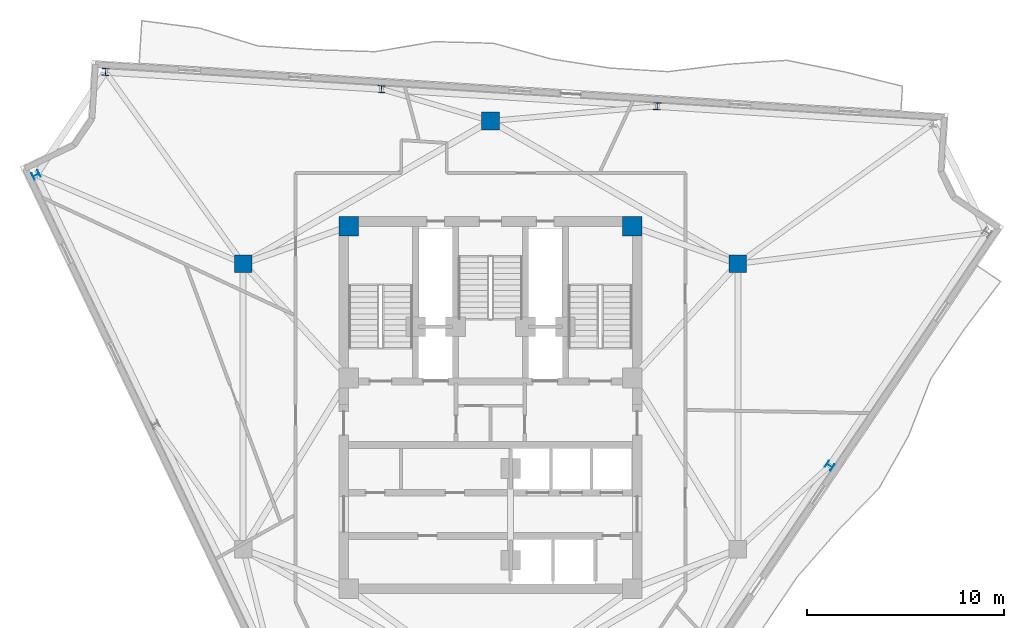
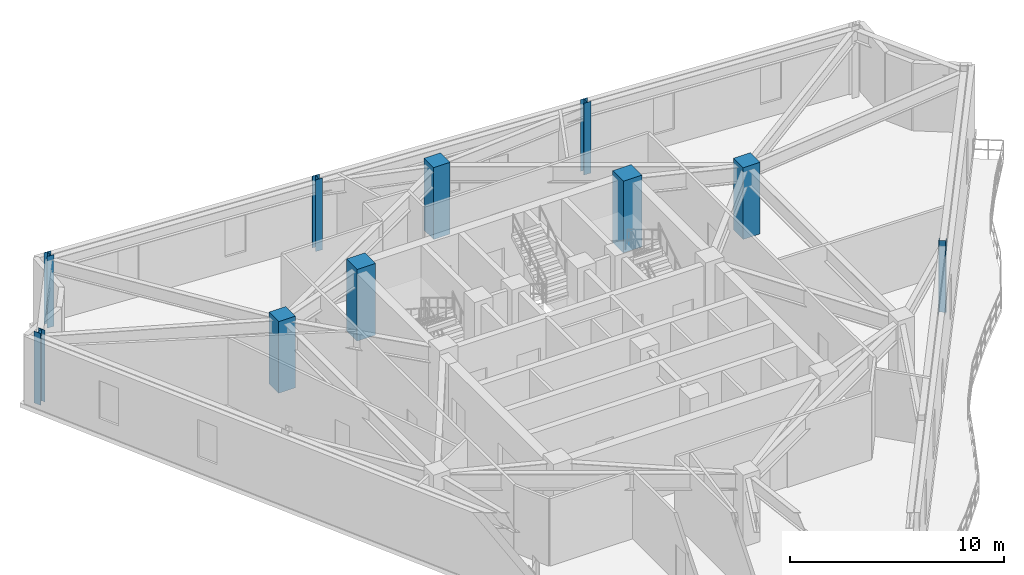
# One storey, part 2 of 10: 10 columns.
"""IFC4 building model written with IfcOpenShell, lengths in metres."""

import ifcopenshell
import ifcopenshell.guid

model = None  # the IFC model being written
_history = None  # IfcOwnerHistory: only IFC2X3 demands one
_inside = {}  # id of a spatial element -> (the spatial element, [elements in it])
_under = {}  # id of a project, library or spatial element -> (it, [spatial elements below it])
_declared = {}  # id of a project -> (the project, [libraries it declares])
_typed = {}  # id of a type object -> (the type object, [elements of that type])
_made_of = {}  # id of a material, layer set ... -> (it, [elements and type objects made of it])


def new_model(schema):
    """Start an empty IFC model of exactly this schema.

    Asked for "IFC4X3", IfcOpenShell would pick the latest addendum, in which some entities
    have other attributes; the version numbers below select the first issue.
    IFC2X3 requires an IfcOwnerHistory on every rooted entity: one is made here for all.
    """
    global model, _history
    if schema == "IFC4X3":
        model = ifcopenshell.file(schema_version=(4, 3, 0, 0))
    else:
        model = ifcopenshell.file(schema=schema)
    _inside.clear()
    _under.clear()
    _declared.clear()
    _typed.clear()
    _made_of.clear()
    _history = None
    if model.schema == "IFC2X3":
        org = make("IfcOrganization", Name="unknown")
        user = make(
            "IfcPersonAndOrganization",
            ThePerson=make("IfcPerson", FamilyName="unknown"),
            TheOrganization=org,
        )
        app = make(
            "IfcApplication",
            ApplicationDeveloper=org,
            Version="unknown",
            ApplicationFullName="unknown",
            ApplicationIdentifier="unknown",
        )
        _history = make(
            "IfcOwnerHistory",
            OwningUser=user,
            OwningApplication=app,
            ChangeAction="ADDED",
            CreationDate=0,
        )
    return model


def make(cls, **values):
    """One entity of the class cls with the attributes given. An attribute that is None is left unset."""
    return model.create_entity(
        cls, **{name: value for name, value in values.items() if value is not None}
    )


def rooted(cls, **values):
    """An entity with a GlobalId (a new one), such as an element, a storey or a relation."""
    return make(cls, GlobalId=ifcopenshell.guid.new(), OwnerHistory=_history, **values)


def si_unit(unit_type, name, prefix=None):
    """IfcSIUnit, for example si_unit("LENGTHUNIT", "METRE", prefix="MILLI")."""
    return make("IfcSIUnit", UnitType=unit_type, Prefix=prefix, Name=name)


def assignment(units):
    """IfcUnitAssignment: the units of a project."""
    return None if units is None else make("IfcUnitAssignment", Units=units)


def point(xyz):
    """IfcCartesianPoint."""
    return None if xyz is None else make("IfcCartesianPoint", Coordinates=xyz)


def direction(xyz):
    """IfcDirection."""
    return None if xyz is None else make("IfcDirection", DirectionRatios=xyz)


def frame(location, z_axis=None, x_axis=None):
    """IfcAxis2Placement3D, a coordinate frame: its origin and axes. An axis left out is left unset."""
    return make(
        "IfcAxis2Placement3D",
        Location=point(location),
        Axis=direction(z_axis),
        RefDirection=direction(x_axis),
    )


def frame_2d(location, x_axis=None):
    """IfcAxis2Placement2D, a coordinate frame in the plane: its origin and x axis."""
    return make(
        "IfcAxis2Placement2D", Location=point(location), RefDirection=direction(x_axis)
    )


def origin():
    """The frame at (0, 0, 0) with its axes left unset."""
    return frame((0.0, 0.0, 0.0))


def origin_2d():
    """The frame at (0, 0) in the plane with its x axis left unset."""
    return frame_2d((0.0, 0.0))


def place(relative_to, where):
    """IfcLocalPlacement: puts the frame where relative to a parent placement (None: the world)."""
    return make(
        "IfcLocalPlacement", PlacementRelTo=relative_to, RelativePlacement=where
    )


def context(
    kind, dimensions, precision=None, world=None, true_north=None, identifier=None
):
    """IfcGeometricRepresentationContext, for example the 3D "Model" context."""
    return make(
        "IfcGeometricRepresentationContext",
        ContextIdentifier=identifier,
        ContextType=kind,
        CoordinateSpaceDimension=dimensions,
        Precision=precision,
        WorldCoordinateSystem=world,
        TrueNorth=true_north,
    )


def subcontext(parent, identifier, kind, view, scale=None):
    """IfcGeometricRepresentationSubContext, for example "Body" below "Model"."""
    return make(
        "IfcGeometricRepresentationSubContext",
        ContextIdentifier=identifier,
        ContextType=kind,
        ParentContext=parent,
        TargetScale=scale,
        TargetView=view,
    )


def project(units=None, contexts=None):
    """IfcProject with its units and contexts."""
    return rooted(
        "IfcProject",
        Name="project",
        RepresentationContexts=contexts,
        UnitsInContext=assignment(units),
    )


def spatial(cls, under=None, at=None, **own):
    """A site, building, storey or space (cls), placed at a placement, below another one or the project."""
    s = rooted(cls, ObjectPlacement=at, **own)
    if under is not None:
        _under.setdefault(under.id(), (under, []))[1].append(s)
    return s


def profile(cls, at=None, kind="AREA", **sizes):
    """A parametric profile (cls). Its sizes go by their IFC names, for example OverallWidth=200.0."""
    return make(cls, ProfileType=kind, Position=at, **sizes)


def rectangle(**sizes):
    """IfcRectangleProfileDef."""
    return profile("IfcRectangleProfileDef", **sizes)


def i_section(**sizes):
    """IfcIShapeProfileDef."""
    return profile("IfcIShapeProfileDef", **sizes)


def extrude(swept, where, along, depth):
    """IfcExtrudedAreaSolid: the profile swept, set in the frame where, extruded along a direction by depth."""
    return make(
        "IfcExtrudedAreaSolid",
        SweptArea=swept,
        Position=where,
        ExtrudedDirection=direction(along),
        Depth=depth,
    )


def shape(context_of_items, identifier, shape_type, items):
    """IfcShapeRepresentation: the items that make up one representation, for example the "Body"."""
    return make(
        "IfcShapeRepresentation",
        ContextOfItems=context_of_items,
        RepresentationIdentifier=identifier,
        RepresentationType=shape_type,
        Items=items,
    )


def material(Name=None, Category=None):
    """IfcMaterial."""
    return make("IfcMaterial", Name=Name, Category=Category)


def material_profile(
    of_material, cross_section, Name=None, Category=None, Priority=None
):
    """IfcMaterialProfile: a cross section and its material."""
    return make(
        "IfcMaterialProfile",
        Name=Name,
        Material=of_material,
        Profile=cross_section,
        Priority=Priority,
        Category=Category,
    )


def profile_set(profiles, Name=None, composite=None):
    """IfcMaterialProfileSet."""
    return make(
        "IfcMaterialProfileSet",
        Name=Name,
        MaterialProfiles=profiles,
        CompositeProfile=composite,
    )


def made_of(thing, what):
    """Note that an element or type object is made of a material, layer set ...; save() writes the relation."""
    if what is not None:
        _made_of.setdefault(what.id(), (what, []))[1].append(thing)
    return thing


def type_object(cls, material=None, **own):
    """A type object (cls), such as IfcWallType, which elements share."""
    return made_of(rooted(cls, **own), material)


def element(
    cls,
    number,
    at=None,
    inside=None,
    cuts=None,
    type_object=None,
    material=None,
    context=None,
    identifier="Body",
    shape_type=None,
    held_by="IfcProductDefinitionShape",
    body=None,
    shapes=None,
    **own,
):
    """One element of the class cls, such as IfcWall. Its Tag is "e" and its number.

    at: its placement. inside: the storey or other place that contains it. cuts: it is an
    opening in that element (IfcRelVoidsElement). A single representation is given by context,
    identifier, shape_type and body (its items); several are given by shapes. held_by: the class
    of the entity that holds the representations. save() writes the other relations.
    """
    e = rooted(cls, Tag="e%d" % number, ObjectPlacement=at, **own)
    if body is not None:
        shapes = [shape(context, identifier, shape_type, body)]
    if shapes is not None:
        e.Representation = make(held_by, Representations=shapes)
    if inside is not None:
        _inside.setdefault(inside.id(), (inside, []))[1].append(e)
    if cuts is not None:
        rooted(
            "IfcRelVoidsElement", RelatingBuildingElement=cuts, RelatedOpeningElement=e
        )
    if type_object is not None:
        _typed.setdefault(type_object.id(), (type_object, []))[1].append(e)
    return made_of(e, material)


def aggregate(whole, parts):
    """IfcRelAggregates: a whole, such as a stair, and the parts it consists of."""
    return rooted("IfcRelAggregates", RelatingObject=whole, RelatedObjects=parts)


def save(model, path):
    """Write the relations noted so far, then the file.

    IfcRelAggregates (storeys below a building ...), IfcRelContainedInSpatialStructure (elements
    in a storey), IfcRelDefinesByType, IfcRelAssociatesMaterial and IfcRelDeclares: one each for
    every whole, place, type object, material and project.
    """
    for whole, parts in _under.values():
        aggregate(whole, parts)
    for where, things in _inside.values():
        rooted(
            "IfcRelContainedInSpatialStructure",
            RelatedElements=things,
            RelatingStructure=where,
        )
    for kind, things in _typed.values():
        rooted("IfcRelDefinesByType", RelatedObjects=things, RelatingType=kind)
    for what, things in _made_of.values():
        rooted("IfcRelAssociatesMaterial", RelatedObjects=things, RelatingMaterial=what)
    for by, libraries in _declared.values():
        rooted("IfcRelDeclares", RelatingContext=by, RelatedDefinitions=libraries)
    model.write(path)


model = new_model("IFC4")

# Units and contexts
model_context = context("Model", 3, precision=1e-05, world=origin(), true_north=direction((0.0, 1.0)))
body_context = subcontext(model_context, "Body", "Model", "MODEL_VIEW")
ifc_project = project(units=[si_unit("LENGTHUNIT", "METRE"), si_unit("AREAUNIT", "SQUARE_METRE"), si_unit("VOLUMEUNIT", "CUBIC_METRE"), si_unit("PLANEANGLEUNIT", "RADIAN"), si_unit("MASSUNIT", "GRAM", prefix="KILO")], contexts=[model_context])

# Site, building, storey
site_placement = place(None, origin())
site = spatial("IfcSite", under=ifc_project, at=site_placement, CompositionType="ELEMENT")
building_placement = place(site_placement, origin())
building = spatial("IfcBuilding", under=site, at=building_placement, Name="Apsidion Concourse Tower", CompositionType="ELEMENT")
storey_placement = place(building_placement, frame((0.0, 0.0, 310.60009765625)))
storey = spatial("IfcBuildingStorey", under=building, at=storey_placement, Name="L73", CompositionType="ELEMENT", Elevation=310.60009765625)

# Columns
ifc_material_1 = material(Name="Concrete C50/60", Category="concrete")
ifc_material_profile_1 = material_profile(ifc_material_1, rectangle(XDim=1.0, YDim=1.0, at=origin_2d()), Name="RC 1000x1000")
ifc_profile_set_1 = profile_set([ifc_material_profile_1], Name="Concrete C50/60")
column_type_1 = type_object("IfcColumnType", Name="COL-RC-1000", PredefinedType="COLUMN", material=ifc_profile_set_1)
for number, where, z_axis, x_axis, name in (
    (1, (7.199951171875, 9.14990234375, 0.0), (0.0, 0.0, 1.0), (1.0, 0.0, 0.0), "L73 Core Super-Column SC4"),
    (2, (-7.199951171875, 9.14990234375, 0.0), (0.0, 0.0, 1.0), (1.0, 0.0, 0.0), "L73 Core Super-Column SC5"),
):
    element("IfcColumn", number, at=place(storey_placement, frame(where, z_axis=z_axis, x_axis=x_axis)), inside=storey, type_object=column_type_1, Name=name, PredefinedType="COLUMN", context=body_context, shape_type="SweptSolid", body=[
        extrude(rectangle(XDim=1.0, YDim=1.0, at=origin_2d()), origin(), (0.0, 0.0, 1.0), 4.099853515625),
    ])
ifc_material_profile_2 = material_profile(ifc_material_1, rectangle(XDim=0.89990234375, YDim=0.89990234375, at=origin_2d()), Name="RC 900x900")
ifc_profile_set_2 = profile_set([ifc_material_profile_2], Name="Concrete C50/60")
column_type_2 = type_object("IfcColumnType", Name="COL-RC-900", PredefinedType="COLUMN", material=ifc_profile_set_2)
for number, where, z_axis, x_axis, name in (
    (3, (12.56005859375, 7.25, 0.0), (0.0, 0.0, 1.0), (1.0, 0.0, 0.0), "L73 Interior Spine Column IC3"),
    (4, (0.0, 14.5, 0.0), (0.0, 0.0, 1.0), (1.0, 0.0, 0.0), "L73 Interior Spine Column IC4"),
    (5, (-12.56005859375, 7.25, 0.0), (0.0, 0.0, 1.0), (1.0, 0.0, 0.0), "L73 Interior Spine Column IC5"),
):
    element("IfcColumn", number, at=place(storey_placement, frame(where, z_axis=z_axis, x_axis=x_axis)), inside=storey, type_object=column_type_2, Name=name, PredefinedType="COLUMN", context=body_context, shape_type="SweptSolid", body=[
        extrude(rectangle(XDim=0.89990234375, YDim=0.89990234375, at=origin_2d()), origin(), (0.0, 0.0, 1.0), 4.099853515625),
    ])
ifc_material_2 = material(Name="Structural steel ASTM A992 Grade 50", Category="steel")
ifc_material_profile_3 = material_profile(ifc_material_2, i_section(OverallWidth=0.367919921875, OverallDepth=0.35595703125, WebThickness=0.01123046875, FlangeThickness=0.01806640625, at=origin_2d()), Name="W14X90")
ifc_profile_set_3 = profile_set([ifc_material_profile_3], Name="Structural steel ASTM A992 Grade 50")
column_type_3 = type_object("IfcColumnType", Name="COL-W14-90", PredefinedType="COLUMN", material=ifc_profile_set_3)
for number, where, z_axis, x_axis, name in (
    (6, (-23.0732421875, 11.758544921875, 0.0), (0.0, 0.0, 1.0), (-0.431298587031, 0.902209248913, 0.0), "L73 Rotated Perimeter Column PC01"),
    (7, (17.223876953125, -3.005615234375, 0.0), (0.0, 0.0, 1.0), (0.559192903471, 0.829037572555, 0.0), "L73 Rotated Perimeter Column PC07"),
    (8, (8.469482421875, 15.24853515625, 0.0), (0.0, 0.0, 1.0), (-0.998081143466, 0.061919553109, 0.0), "L73 Rotated Perimeter Column PC10"),
    (9, (-5.5380859375, 16.118408203125, 0.0), (0.0, 0.0, 1.0), (-0.998081143466, 0.061919553109, 0.0), "L73 Rotated Perimeter Column PC11"),
    (10, (-19.5458984375, 16.98828125, 0.0), (0.0, 0.0, 1.0), (-0.998081143466, 0.061919553109, 0.0), "L73 Rotated Perimeter Column PC12"),
):
    element("IfcColumn", number, at=place(storey_placement, frame(where, z_axis=z_axis, x_axis=x_axis)), inside=storey, type_object=column_type_3, Name=name, PredefinedType="COLUMN", context=body_context, shape_type="SweptSolid", body=[
        extrude(i_section(OverallWidth=0.367919921875, OverallDepth=0.35595703125, WebThickness=0.01123046875, FlangeThickness=0.01806640625, at=origin_2d()), origin(), (0.0, 0.0, 1.0), 4.099853515625),
    ])

save(model, "model.ifc")
